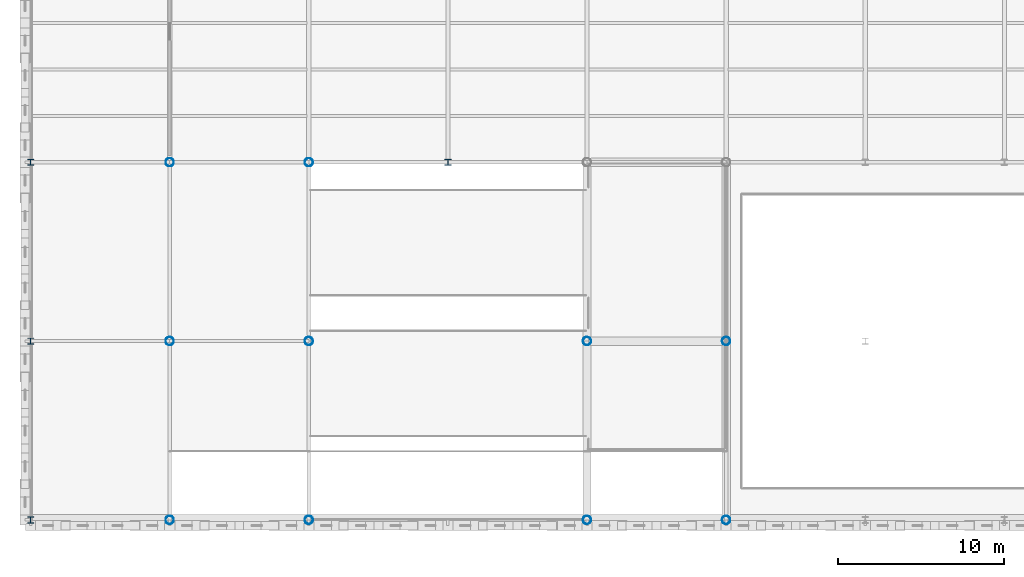
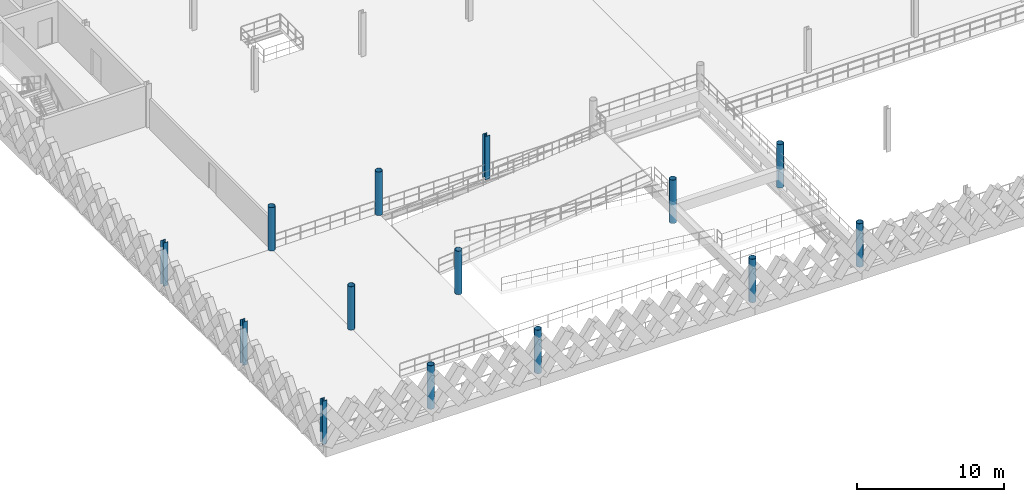
# One storey, part 1 of 62: 14 columns.
"""IFC4 building model written with IfcOpenShell, lengths in metres."""

from ifc_helpers import new_model, si_unit, direction, frame, origin, origin_2d, place, context, subcontext, project, spatial, hollow_circle, i_section, extrude, material, material_profile, profile_set, type_object, element, save


model = new_model("IFC4")

# Units and contexts
model_context = context("Model", 3, precision=1e-05, world=origin(), true_north=direction((0.0, 1.0)))
body_context = subcontext(model_context, "Body", "Model", "MODEL_VIEW")
ifc_project = project(units=[si_unit("LENGTHUNIT", "METRE"), si_unit("AREAUNIT", "SQUARE_METRE"), si_unit("VOLUMEUNIT", "CUBIC_METRE"), si_unit("PLANEANGLEUNIT", "RADIAN"), si_unit("MASSUNIT", "GRAM", prefix="KILO"), si_unit("THERMODYNAMICTEMPERATUREUNIT", "KELVIN"), si_unit("POWERUNIT", "WATT")], contexts=[model_context])

# Site, building, storey
site_placement = place(None, origin())
site = spatial("IfcSite", under=ifc_project, at=site_placement, CompositionType="ELEMENT")
building_placement = place(site_placement, origin())
building = spatial("IfcBuilding", under=site, at=building_placement, Name="Tembeka Court Mobility Hub", CompositionType="ELEMENT")
storey_placement = place(building_placement, frame((0.0, 0.0, 16.199951171875)))
storey = spatial("IfcBuildingStorey", under=building, at=storey_placement, Name="L04", CompositionType="ELEMENT", Elevation=16.199951171875)

# Columns
ifc_material = material(Name="Steel S355", Category="steel")
ifc_material_profile_1 = material_profile(ifc_material, i_section(OverallWidth=0.373046875, OverallDepth=0.367919921875, WebThickness=0.014404296875, FlangeThickness=0.023681640625, FilletRadius=0.01513671875, at=origin_2d()), Name="UKC 356x368x177")
ifc_profile_set_1 = profile_set([ifc_material_profile_1], Name="Steel S355")
column_type_1 = type_object("IfcColumnType", Name="COL-C03", PredefinedType="COLUMN", material=ifc_profile_set_1)
for number, where, z_axis, x_axis, name in (
    (1, (0.0, 0.0, 0.0), (0.0, 0.0, 1.0), (1.0, 0.0, 0.0), "Column C03 (L04-001)"),
    (2, (0.0, 10.800048828125, 0.0), (0.0, 0.0, 1.0), (1.0, 0.0, 0.0), "Column C03 (L04-002)"),
    (3, (0.0, 21.60009765625, 0.0), (0.0, 0.0, 1.0), (1.0, 0.0, 0.0), "Column C03 (L04-003)"),
    (4, (25.199951171875, 21.60009765625, 0.0), (0.0, 0.0, 1.0), (1.0, 0.0, 0.0), "Column C03 (L04-038)"),
):
    element("IfcColumn", number, at=place(storey_placement, frame(where, z_axis=z_axis, x_axis=x_axis)), inside=storey, type_object=column_type_1, Name=name, PredefinedType="COLUMN", context=body_context, shape_type="SweptSolid", body=[
        extrude(i_section(OverallWidth=0.373046875, OverallDepth=0.367919921875, WebThickness=0.014404296875, FlangeThickness=0.023681640625, FilletRadius=0.01513671875, at=origin_2d()), origin(), (0.0, 0.0, 1.0), 3.60009765625),
    ])
ifc_material_profile_2 = material_profile(ifc_material, hollow_circle(Radius=0.25390625, WallThickness=0.01611328125, at=origin_2d()), Name="CHS 508x16")
ifc_profile_set_2 = profile_set([ifc_material_profile_2], Name="Steel S355")
column_type_2 = type_object("IfcColumnType", Name="COL-C08", PredefinedType="COLUMN", material=ifc_profile_set_2)
for number, where, z_axis, x_axis, name in (
    (5, (8.39990234375, 0.0, 0.0), (0.0, 0.0, 1.0), (1.0, 0.0, 0.0), "Column C08 (L04-013)"),
    (6, (8.39990234375, 10.800048828125, 0.0), (0.0, 0.0, 1.0), (1.0, 0.0, 0.0), "Column C08 (L04-014)"),
    (7, (8.39990234375, 21.60009765625, 0.0), (0.0, 0.0, 1.0), (1.0, 0.0, 0.0), "Column C08 (L04-015)"),
    (8, (16.800048828125, 0.0, 0.0), (0.0, 0.0, 1.0), (1.0, 0.0, 0.0), "Column C08 (L04-025)"),
    (9, (16.800048828125, 10.800048828125, 0.0), (0.0, 0.0, 1.0), (1.0, 0.0, 0.0), "Column C08 (L04-026)"),
    (10, (16.800048828125, 21.60009765625, 0.0), (0.0, 0.0, 1.0), (1.0, 0.0, 0.0), "Column C08 (L04-027)"),
    (11, (33.60009765625, 0.0, 0.0), (0.0, 0.0, 1.0), (1.0, 0.0, 0.0), "Column C08 (L04-047)"),
    (12, (33.60009765625, 10.800048828125, 0.0), (0.0, 0.0, 1.0), (1.0, 0.0, 0.0), "Column C08 (L04-048)"),
    (13, (42.0, 0.0, 0.0), (0.0, 0.0, 1.0), (1.0, 0.0, 0.0), "Column C08 (L04-059)"),
    (14, (42.0, 10.800048828125, 0.0), (0.0, 0.0, 1.0), (1.0, 0.0, 0.0), "Column C08 (L04-060)"),
):
    element("IfcColumn", number, at=place(storey_placement, frame(where, z_axis=z_axis, x_axis=x_axis)), inside=storey, type_object=column_type_2, Name=name, PredefinedType="COLUMN", context=body_context, shape_type="SweptSolid", body=[
        extrude(hollow_circle(Radius=0.25390625, WallThickness=0.01611328125, at=origin_2d()), origin(), (0.0, 0.0, 1.0), 3.60009765625),
    ])

save(model, "model.ifc")
